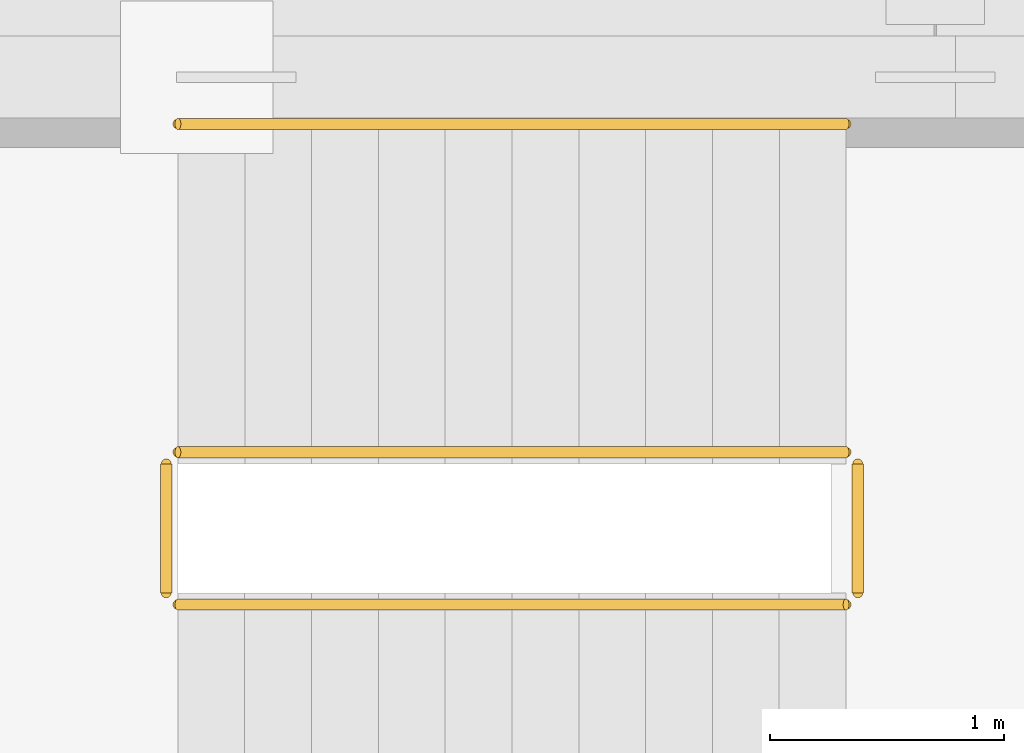
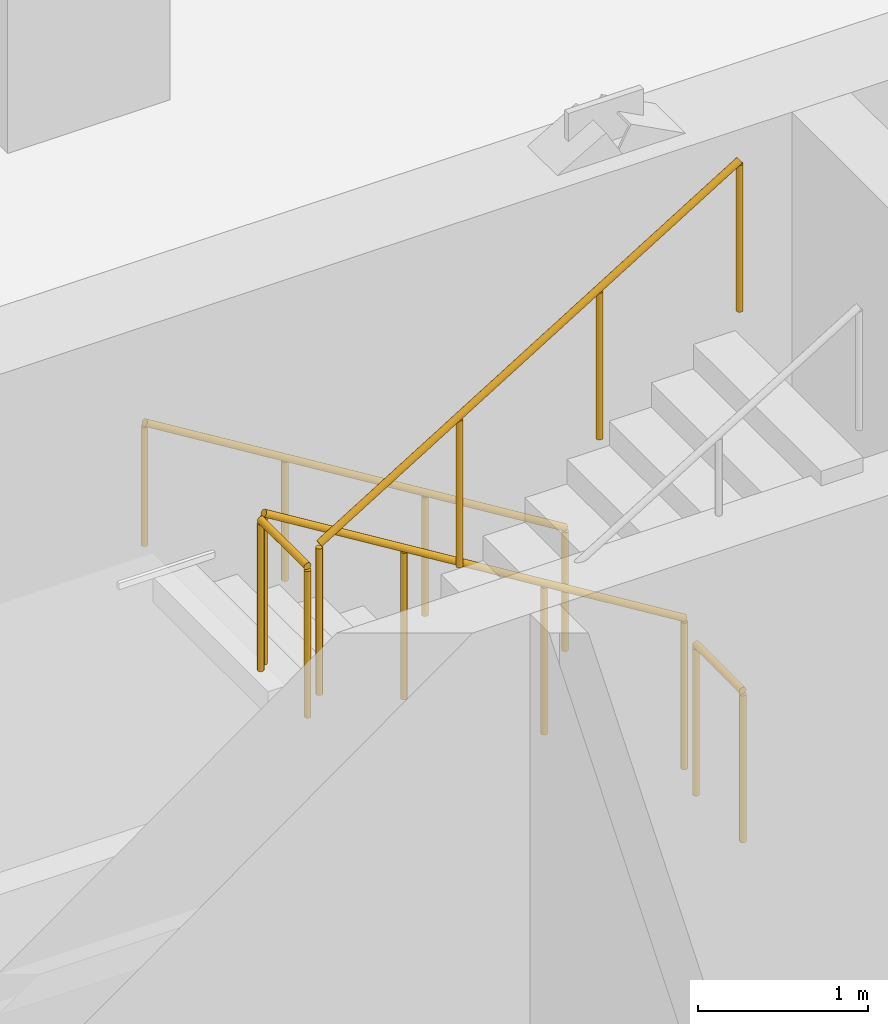
# One storey, part 25 of 25: 5 railings.
"""IFC4 building model written with IfcOpenShell, lengths in metres."""

from ifc_helpers import new_model, si_unit, direction, frame, origin, origin_2d, place, context, subcontext, project, spatial, circle, extrude, material, type_object, element, save


model = new_model("IFC4")

# Units and contexts
model_context = context("Model", 3, precision=1e-05, world=origin(), true_north=direction((0.0, 1.0)))
body_context = subcontext(model_context, "Body", "Model", "MODEL_VIEW")
ifc_project = project(units=[si_unit("LENGTHUNIT", "METRE"), si_unit("AREAUNIT", "SQUARE_METRE"), si_unit("VOLUMEUNIT", "CUBIC_METRE"), si_unit("PLANEANGLEUNIT", "RADIAN"), si_unit("MASSUNIT", "GRAM", prefix="KILO")], contexts=[model_context])

# Site, building, storey
site_placement = place(None, origin())
site = spatial("IfcSite", under=ifc_project, at=site_placement, CompositionType="ELEMENT")
building_placement = place(site_placement, origin())
building = spatial("IfcBuilding", under=site, at=building_placement, Name="Cobrela Telecom Tower", CompositionType="ELEMENT")
storey_placement = place(building_placement, frame((0.0, 0.0, 42.699951171875)))
storey = spatial("IfcBuildingStorey", under=building, at=storey_placement, Name="L10", CompositionType="ELEMENT", Elevation=42.699951171875)

# Railings
ifc_material = material(Name="Steel ASTM A36", Category="steel")
railing_type_1 = type_object("IfcRailingType", Name="RAIL-GUARD-1100", PredefinedType="GUARDRAIL", material=ifc_material)
railing_1_placement = place(storey_placement, frame((6.820068359375, 34.10009765625, 0.175048828125)))
element("IfcRailing", 1, at=railing_1_placement, inside=storey, type_object=railing_type_1, Name="L10 ST1 stair guard 1", PredefinedType="GUARDRAIL", context=body_context, shape_type="SweptSolid", body=[
    extrude(circle(Radius=0.02392578125, at=origin_2d()), frame((0.0, 0.0, 1.076171875), z_axis=(-0.852179220489, 0.0, 0.52325001306), x_axis=(0.0, -1.0, 0.0)), (0.0, 0.0, 1.0), 3.344482421875),
    extrude(circle(Radius=0.02099609375, at=origin_2d()), origin(), (0.0, 0.0, 1.0), 1.052001953125),
    extrude(circle(Radius=0.02099609375, at=origin_2d()), frame((-0.949951171875, 0.0, 0.583251953125)), (0.0, 0.0, 1.0), 1.052001953125),
    extrude(circle(Radius=0.02099609375, at=origin_2d()), frame((-1.900146484375, 0.0, 1.166748046875)), (0.0, 0.0, 1.0), 1.052001953125),
    extrude(circle(Radius=0.02099609375, at=origin_2d()), frame((-2.85009765625, 0.0, 1.75)), (0.0, 0.0, 1.0), 1.052001953125),
])
railing_2_placement = place(storey_placement, frame((3.919921875, 34.050048828125, 1.925048828125)))
element("IfcRailing", 2, at=railing_2_placement, inside=storey, type_object=railing_type_1, Name="L10 ST1 stair guard 2", PredefinedType="GUARDRAIL", context=body_context, shape_type="SweptSolid", body=[
    extrude(circle(Radius=0.02392578125, at=origin_2d()), frame((0.0, 0.0, 1.076171875), z_axis=(0.0, -1.0, 0.0), x_axis=(1.0, 0.0, 0.0)), (0.0, 0.0, 1.0), 0.550048828125),
    extrude(circle(Radius=0.02099609375, at=origin_2d()), origin(), (0.0, 0.0, 1.0), 1.052001953125),
    extrude(circle(Radius=0.02099609375, at=origin_2d()), frame((0.0, -0.550048828125, 0.0)), (0.0, 0.0, 1.0), 1.052001953125),
])
railing_3_placement = place(storey_placement, frame((3.969970703125, 33.449951171875, 2.10009765625)))
element("IfcRailing", 3, at=railing_3_placement, inside=storey, type_object=railing_type_1, Name="L10 ST1 stair guard 4", PredefinedType="GUARDRAIL", context=body_context, shape_type="SweptSolid", body=[
    extrude(circle(Radius=0.02392578125, at=origin_2d()), frame((0.0, 0.0, 1.076171875), z_axis=(0.852179220489, 0.0, 0.52325001306), x_axis=(0.0, 1.0, 0.0)), (0.0, 0.0, 1.0), 3.344482421875),
    extrude(circle(Radius=0.02099609375, at=origin_2d()), origin(), (0.0, 0.0, 1.0), 1.052001953125),
    extrude(circle(Radius=0.02099609375, at=origin_2d()), frame((0.949951171875, 0.0, 0.583251953125)), (0.0, 0.0, 1.0), 1.052001953125),
    extrude(circle(Radius=0.02099609375, at=origin_2d()), frame((1.900146484375, 0.0, 1.166748046875)), (0.0, 0.0, 1.0), 1.052001953125),
    extrude(circle(Radius=0.02099609375, at=origin_2d()), frame((2.85009765625, 0.0, 1.75)), (0.0, 0.0, 1.0), 1.052001953125),
])
railing_4_placement = place(storey_placement, frame((6.8701171875, 34.050048828125, 0.0)))
element("IfcRailing", 4, at=railing_4_placement, inside=storey, type_object=railing_type_1, Name="L10 ST1 stair guard 5", PredefinedType="GUARDRAIL", context=body_context, shape_type="SweptSolid", body=[
    extrude(circle(Radius=0.02392578125, at=origin_2d()), frame((0.0, 0.0, 1.076171875), z_axis=(0.0, -1.0, 0.0), x_axis=(1.0, 0.0, 0.0)), (0.0, 0.0, 1.0), 0.550048828125),
    extrude(circle(Radius=0.02099609375, at=origin_2d()), origin(), (0.0, 0.0, 1.0), 1.052001953125),
    extrude(circle(Radius=0.02099609375, at=origin_2d()), frame((0.0, -0.550048828125, 0.0)), (0.0, 0.0, 1.0), 1.052001953125),
])
railing_type_2 = type_object("IfcRailingType", Name="RAIL-HAND-920", PredefinedType="HANDRAIL", material=ifc_material)
railing_5_placement = place(storey_placement, frame((6.820068359375, 35.5, 0.175048828125)))
element("IfcRailing", 5, at=railing_5_placement, inside=storey, type_object=railing_type_2, Name="L10 ST1 stair handrail 1", PredefinedType="HANDRAIL", context=body_context, shape_type="SweptSolid", body=[
    extrude(circle(Radius=0.02392578125, at=origin_2d()), frame((0.0, 0.0, 0.8759765625), z_axis=(-0.852179220489, 0.0, 0.52325001306), x_axis=(0.0, -1.0, 0.0)), (0.0, 0.0, 1.0), 3.344482421875),
    extrude(circle(Radius=0.02099609375, at=origin_2d()), origin(), (0.0, 0.0, 1.0), 0.851806640625),
    extrude(circle(Radius=0.02099609375, at=origin_2d()), frame((-0.949951171875, 0.0, 0.583251953125)), (0.0, 0.0, 1.0), 0.851806640625),
    extrude(circle(Radius=0.02099609375, at=origin_2d()), frame((-1.900146484375, 0.0, 1.166748046875)), (0.0, 0.0, 1.0), 0.851806640625),
    extrude(circle(Radius=0.02099609375, at=origin_2d()), frame((-2.85009765625, 0.0, 1.75)), (0.0, 0.0, 1.0), 0.851806640625),
])

save(model, "model.ifc")
